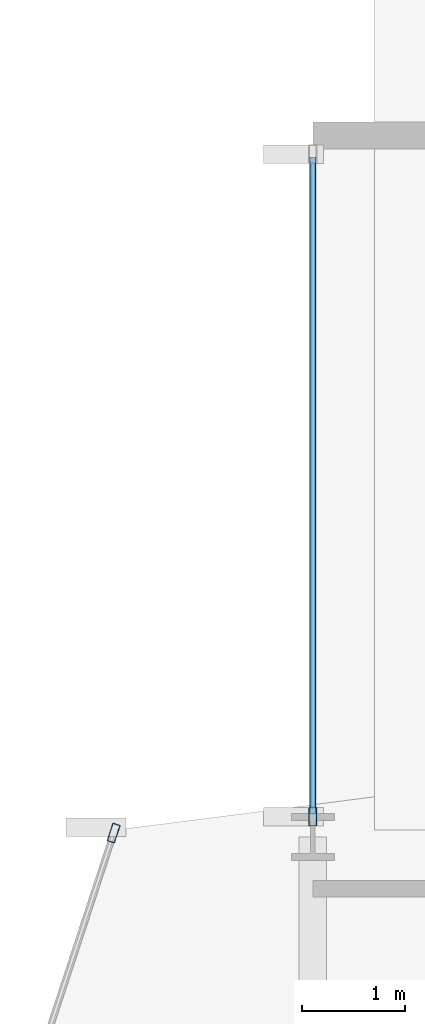
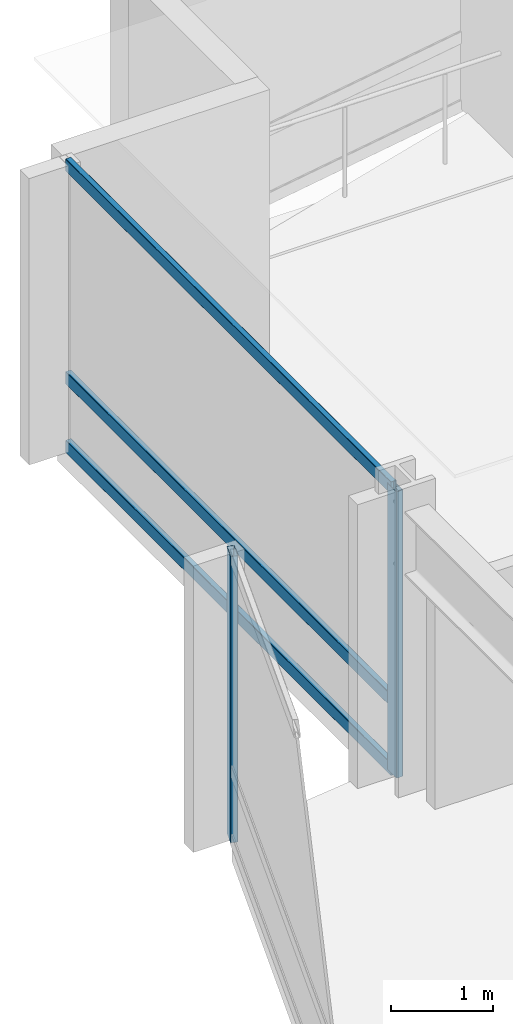
# One storey, part 16 of 29: 5 members, 2 elements without a shape of their own.
"""IFC4 building model written with IfcOpenShell, lengths in metres."""

from ifc_helpers import new_model, si_unit, direction, frame, origin, origin_2d, place, context, subcontext, project, spatial, hollow_rectangle, extrude, material, layer, layer_set, material_profile, profile_set, type_object, element, aggregate, save


model = new_model("IFC4")

# Units and contexts
model_context = context("Model", 3, precision=1e-05, world=origin(), true_north=direction((0.0, 1.0)))
body_context = subcontext(model_context, "Body", "Model", "MODEL_VIEW")
ifc_project = project(units=[si_unit("LENGTHUNIT", "METRE"), si_unit("AREAUNIT", "SQUARE_METRE"), si_unit("VOLUMEUNIT", "CUBIC_METRE"), si_unit("PLANEANGLEUNIT", "RADIAN"), si_unit("MASSUNIT", "GRAM", prefix="KILO")], contexts=[model_context])

# Site, building, storey
site_placement = place(None, origin())
site = spatial("IfcSite", under=ifc_project, at=site_placement, CompositionType="ELEMENT")
building_placement = place(site_placement, origin())
building = spatial("IfcBuilding", under=site, at=building_placement, Name="Solvaryn Broadcast Tower", CompositionType="ELEMENT")
storey_placement = place(building_placement, frame((0.0, 0.0, 128.5)))
storey = spatial("IfcBuildingStorey", under=building, at=storey_placement, Name="L31", CompositionType="ELEMENT", Elevation=128.5)

# Curtain wall, member
ifc_material_1 = material(Name="Aluminium and Terracotta Unitised Curtain Wall", Category="masonry")
ifc_layer = layer(ifc_material_1, 0.199951171875)
ifc_layer_set = layer_set([ifc_layer], Name="CW-SYS2-LOWMID")
curtain_wall_type = type_object("IfcCurtainWallType", Name="CW-SYS2-LOWMID", PredefinedType="NOTDEFINED", material=ifc_layer_set)
curtain_wall_1_placement = place(storey_placement, origin())
curtain_wall_1 = element("IfcCurtainWall", 1, at=curtain_wall_1_placement, inside=storey, type_object=curtain_wall_type, Name="L31 Curtain Wall DR1", PredefinedType="NOTDEFINED")
ifc_material_2 = material(Name="Anodised Aluminium 6063-T6", Category="aluminium")
ifc_material_profile_1 = material_profile(ifc_material_2, hollow_rectangle(XDim=0.074951171875, YDim=0.179931640625, WallThickness=0.00390625, InnerFilletRadius=0.00390625, OuterFilletRadius=0.008056640625, at=origin_2d()))
ifc_profile_set_1 = profile_set([ifc_material_profile_1], Name="Anodised Aluminium 6063-T6")
member_type_1 = type_object("IfcMemberType", Name="CW-MUL-180", PredefinedType="MULLION", material=ifc_profile_set_1)
member_1_placement = place(storey_placement, frame((7.069580078125, 45.03857421875, 0.0), z_axis=(0.0, 0.0, 1.0), x_axis=(0.950198260794, -0.311646057547, 0.0)))
member_1 = element("IfcMember", 2, at=member_1_placement, type_object=member_type_1, Name="CWS2 mullion 1", PredefinedType="MULLION", context=body_context, shape_type="SweptSolid", body=[
    extrude(hollow_rectangle(XDim=0.074951171875, YDim=0.179931640625, WallThickness=0.00390625, InnerFilletRadius=0.00390625, OuterFilletRadius=0.008056640625, at=origin_2d()), origin(), (0.0, 0.0, 1.0), 3.419921875),
])
aggregate(curtain_wall_1, [member_1])

# Curtain wall, members
curtain_wall_2_placement = place(storey_placement, origin())
curtain_wall_2 = element("IfcCurtainWall", 3, at=curtain_wall_2_placement, inside=storey, type_object=curtain_wall_type, Name="L31 Curtain Wall W2", PredefinedType="NOTDEFINED")
member_2_placement = place(storey_placement, frame((9.0, 45.197021484375, 0.0), z_axis=(0.0, 0.0, 1.0), x_axis=(-1.0, 0.0, 0.0)))
member_2 = element("IfcMember", 4, at=member_2_placement, type_object=member_type_1, Name="CWS2 mullion 1", PredefinedType="MULLION", context=body_context, shape_type="SweptSolid", body=[
    extrude(hollow_rectangle(XDim=0.074951171875, YDim=0.179931640625, WallThickness=0.00390625, InnerFilletRadius=0.00390625, OuterFilletRadius=0.008056640625, at=origin_2d()), origin(), (0.0, 0.0, 1.0), 3.419921875),
])
ifc_material_3 = material(Name="Anodised Aluminium 6063-T6", Category="aluminium")
ifc_material_profile_2 = material_profile(ifc_material_3, hollow_rectangle(XDim=0.06494140625, YDim=0.14990234375, WallThickness=0.00390625, InnerFilletRadius=0.00390625, OuterFilletRadius=0.008056640625, at=origin_2d()))
ifc_profile_set_2 = profile_set([ifc_material_profile_2], Name="Anodised Aluminium 6063-T6")
member_type_2 = type_object("IfcMemberType", Name="CW-TRN-150", PredefinedType="USERDEFINED", material=ifc_profile_set_2)
member_3_placement = place(storey_placement, frame((9.0, 45.22705078125, 0.030029296875), z_axis=(0.0, 1.0, 0.0), x_axis=(-1.0, 0.0, 0.0)))
member_3 = element("IfcMember", 5, at=member_3_placement, type_object=member_type_2, Name="CWS2 transom 1.1", ObjectType="TRANSOM", PredefinedType="USERDEFINED", context=body_context, shape_type="SweptSolid", body=[
    extrude(hollow_rectangle(XDim=0.06494140625, YDim=0.14990234375, WallThickness=0.00390625, InnerFilletRadius=0.00390625, OuterFilletRadius=0.008056640625, at=origin_2d()), origin(), (0.0, 0.0, 1.0), 6.363037109375),
])
member_4_placement = place(storey_placement, frame((9.0, 45.22705078125, 0.85009765625), z_axis=(0.0, 1.0, 0.0), x_axis=(-1.0, 0.0, 0.0)))
member_4 = element("IfcMember", 6, at=member_4_placement, type_object=member_type_2, Name="CWS2 transom 1.2", ObjectType="TRANSOM", PredefinedType="USERDEFINED", context=body_context, shape_type="SweptSolid", body=[
    extrude(hollow_rectangle(XDim=0.06494140625, YDim=0.14990234375, WallThickness=0.00390625, InnerFilletRadius=0.00390625, OuterFilletRadius=0.008056640625, at=origin_2d()), origin(), (0.0, 0.0, 1.0), 6.363037109375),
])
member_5_placement = place(storey_placement, frame((9.0, 45.22705078125, 3.389892578125), z_axis=(0.0, 1.0, 0.0), x_axis=(-1.0, 0.0, 0.0)))
member_5 = element("IfcMember", 7, at=member_5_placement, type_object=member_type_2, Name="CWS2 transom 1.3", ObjectType="TRANSOM", PredefinedType="USERDEFINED", context=body_context, shape_type="SweptSolid", body=[
    extrude(hollow_rectangle(XDim=0.06494140625, YDim=0.14990234375, WallThickness=0.00390625, InnerFilletRadius=0.00390625, OuterFilletRadius=0.008056640625, at=origin_2d()), origin(), (0.0, 0.0, 1.0), 6.363037109375),
])
aggregate(curtain_wall_2, [member_2, member_3, member_4, member_5])

save(model, "model.ifc")
